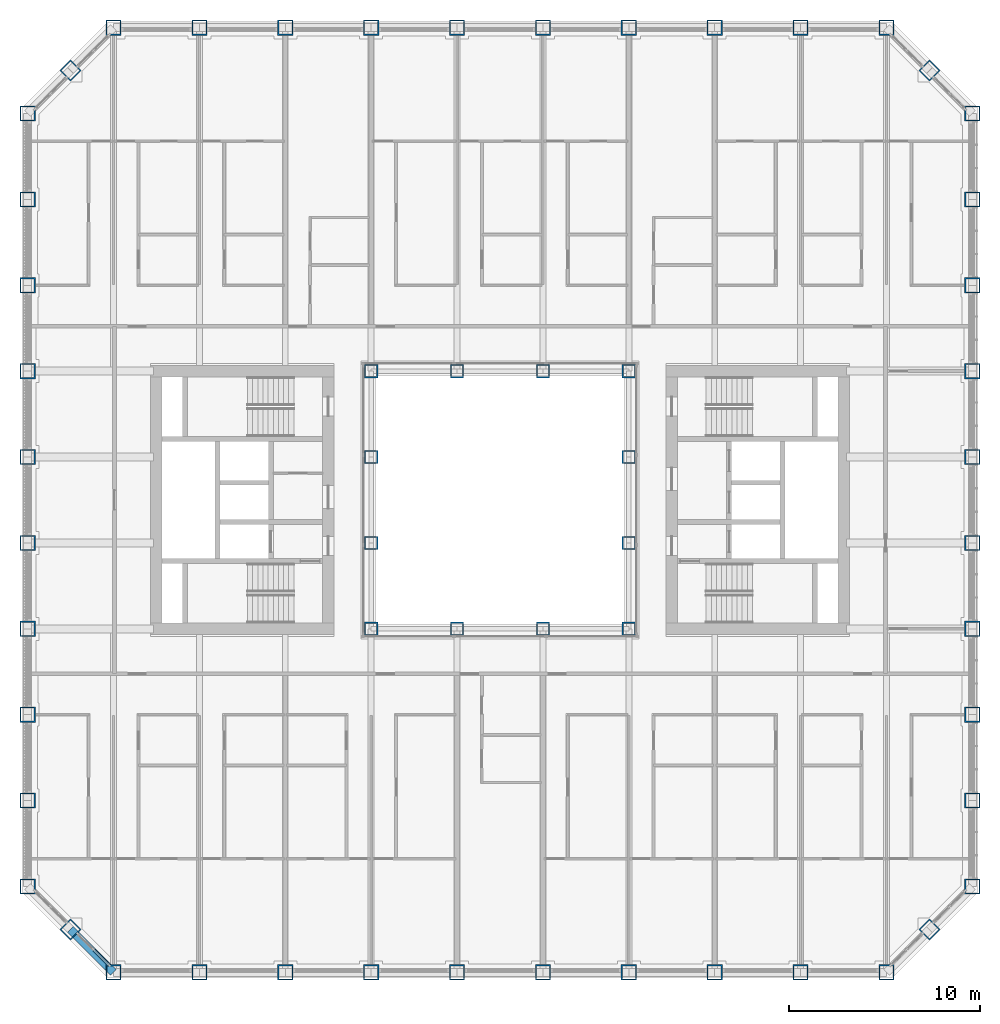
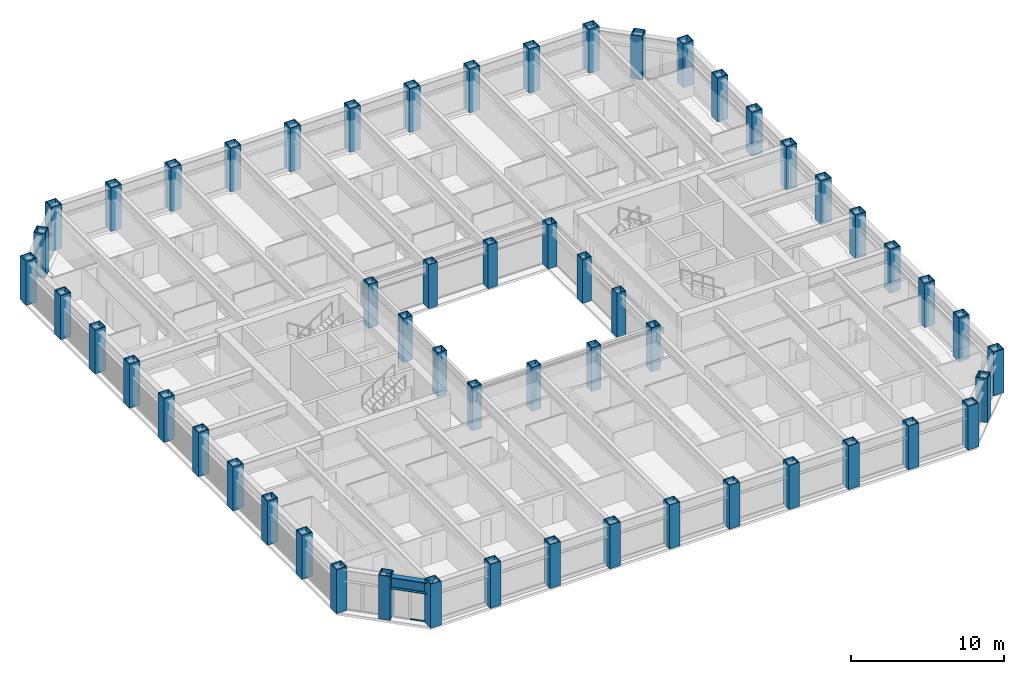
# One storey, part 1 of 20: 56 columns, 2 members, 1 beam, 1 element without a shape of its own.
"""IFC4 building model written with IfcOpenShell, lengths in metres."""

from ifc_helpers import new_model, si_unit, direction, frame, origin, origin_2d, place, context, subcontext, project, spatial, rectangle, hollow_rectangle, i_section, extrude, material, material_profile, profile_set, type_object, element, aggregate, save


model = new_model("IFC4")

# Units and contexts
model_context = context("Model", 3, precision=1e-05, world=origin(), true_north=direction((0.0, 1.0)))
body_context = subcontext(model_context, "Body", "Model", "MODEL_VIEW")
ifc_project = project(units=[si_unit("LENGTHUNIT", "METRE"), si_unit("AREAUNIT", "SQUARE_METRE"), si_unit("VOLUMEUNIT", "CUBIC_METRE"), si_unit("PLANEANGLEUNIT", "RADIAN"), si_unit("MASSUNIT", "GRAM", prefix="KILO")], contexts=[model_context])

# Site, building, storey
site_placement = place(None, origin())
site = spatial("IfcSite", under=ifc_project, at=site_placement, CompositionType="ELEMENT")
building_placement = place(site_placement, origin())
building = spatial("IfcBuilding", under=site, at=building_placement, Name="Msasa Ring Tower", CompositionType="ELEMENT")
storey_placement = place(building_placement, frame((0.0, 0.0, 58.0)))
storey = spatial("IfcBuildingStorey", under=building, at=storey_placement, Name="L14", CompositionType="ELEMENT", Elevation=58.0)

# Columns
ifc_material_1 = material(Name="Steel S355", Category="steel")
ifc_material_profile_1 = material_profile(ifc_material_1, hollow_rectangle(XDim=0.699951171875, YDim=0.699951171875, WallThickness=0.06005859375, at=origin_2d()), Name="BOX 700x700x60")
ifc_profile_set_1 = profile_set([ifc_material_profile_1], Name="Steel S355")
column_type_1 = type_object("IfcColumnType", Name="IC2 BOX 700x700x60", PredefinedType="COLUMN", material=ifc_profile_set_1)
for number, where, z_axis, x_axis, name in (
    (1, (-6.75, -6.75, 0.0), (0.0, 0.0, 1.0), (1.0, 0.0, 0.0), "Inner ring column IR-6.75-6.75 L14"),
    (2, (-6.75, -2.25, 0.0), (0.0, 0.0, 1.0), (1.0, 0.0, 0.0), "Inner ring column IR-6.75-2.25 L14"),
    (3, (-6.75, 2.25, 0.0), (0.0, 0.0, 1.0), (1.0, 0.0, 0.0), "Inner ring column IR-6.75+2.25 L14"),
    (4, (-6.75, 6.75, 0.0), (0.0, 0.0, 1.0), (1.0, 0.0, 0.0), "Inner ring column IR-6.75+6.75 L14"),
    (5, (-2.25, -6.75, 0.0), (0.0, 0.0, 1.0), (1.0, 0.0, 0.0), "Inner ring column IR-2.25-6.75 L14"),
    (6, (-2.25, 6.75, 0.0), (0.0, 0.0, 1.0), (1.0, 0.0, 0.0), "Inner ring column IR-2.25+6.75 L14"),
    (7, (2.25, -6.75, 0.0), (0.0, 0.0, 1.0), (1.0, 0.0, 0.0), "Inner ring column IR+2.25-6.75 L14"),
    (8, (2.25, 6.75, 0.0), (0.0, 0.0, 1.0), (1.0, 0.0, 0.0), "Inner ring column IR+2.25+6.75 L14"),
    (9, (6.75, -6.75, 0.0), (0.0, 0.0, 1.0), (1.0, 0.0, 0.0), "Inner ring column IR+6.75-6.75 L14"),
    (10, (6.75, -2.25, 0.0), (0.0, 0.0, 1.0), (1.0, 0.0, 0.0), "Inner ring column IR+6.75-2.25 L14"),
    (11, (6.75, 2.25, 0.0), (0.0, 0.0, 1.0), (1.0, 0.0, 0.0), "Inner ring column IR+6.75+2.25 L14"),
    (12, (6.75, 6.75, 0.0), (0.0, 0.0, 1.0), (1.0, 0.0, 0.0), "Inner ring column IR+6.75+6.75 L14"),
):
    element("IfcColumn", number, at=place(storey_placement, frame(where, z_axis=z_axis, x_axis=x_axis)), inside=storey, type_object=column_type_1, Name=name, PredefinedType="COLUMN", context=body_context, shape_type="SweptSolid", body=[
        extrude(hollow_rectangle(XDim=0.699951171875, YDim=0.699951171875, WallThickness=0.06005859375, at=origin_2d()), origin(), (0.0, 0.0, 1.0), 3.5),
    ])
ifc_material_2 = material(Name="Steel S355", Category="steel")
ifc_material_profile_2 = material_profile(ifc_material_2, hollow_rectangle(XDim=0.800048828125, YDim=0.800048828125, WallThickness=0.06005859375, at=origin_2d()), Name="BOX 800x800x60")
ifc_profile_set_2 = profile_set([ifc_material_profile_2], Name="Steel S355")
column_type_2 = type_object("IfcColumnType", Name="TC3 BOX 800x800x60", PredefinedType="COLUMN", material=ifc_profile_set_2)
for number, where, z_axis, x_axis, name in (
    (13, (-20.25, -24.75, 0.0), (0.0, 0.0, 1.0), (0.0, 1.0, 0.0), "Tube column S-20.25 L14"),
    (14, (-20.25, 24.75, 0.0), (0.0, 0.0, 1.0), (0.0, 1.0, 0.0), "Tube column N-20.25 L14"),
    (15, (24.75, -20.25, 0.0), (0.0, 0.0, 1.0), (1.0, 0.0, 0.0), "Tube column E-20.25 L14"),
    (16, (-24.75, -20.25, 0.0), (0.0, 0.0, 1.0), (1.0, 0.0, 0.0), "Tube column W-20.25 L14"),
    (17, (-15.75, -24.75, 0.0), (0.0, 0.0, 1.0), (0.0, 1.0, 0.0), "Tube column S-15.75 L14"),
    (18, (-15.75, 24.75, 0.0), (0.0, 0.0, 1.0), (0.0, 1.0, 0.0), "Tube column N-15.75 L14"),
    (19, (24.75, -15.75, 0.0), (0.0, 0.0, 1.0), (1.0, 0.0, 0.0), "Tube column E-15.75 L14"),
    (20, (-24.75, -15.75, 0.0), (0.0, 0.0, 1.0), (1.0, 0.0, 0.0), "Tube column W-15.75 L14"),
    (21, (-11.25, -24.75, 0.0), (0.0, 0.0, 1.0), (0.0, 1.0, 0.0), "Tube column S-11.25 L14"),
    (22, (-11.25, 24.75, 0.0), (0.0, 0.0, 1.0), (0.0, 1.0, 0.0), "Tube column N-11.25 L14"),
    (23, (24.75, -11.25, 0.0), (0.0, 0.0, 1.0), (1.0, 0.0, 0.0), "Tube column E-11.25 L14"),
    (24, (-24.75, -11.25, 0.0), (0.0, 0.0, 1.0), (1.0, 0.0, 0.0), "Tube column W-11.25 L14"),
    (25, (-6.75, -24.75, 0.0), (0.0, 0.0, 1.0), (0.0, 1.0, 0.0), "Tube column S-6.75 L14"),
    (26, (-6.75, 24.75, 0.0), (0.0, 0.0, 1.0), (0.0, 1.0, 0.0), "Tube column N-6.75 L14"),
    (27, (24.75, -6.75, 0.0), (0.0, 0.0, 1.0), (1.0, 0.0, 0.0), "Tube column E-6.75 L14"),
    (28, (-24.75, -6.75, 0.0), (0.0, 0.0, 1.0), (1.0, 0.0, 0.0), "Tube column W-6.75 L14"),
    (29, (-2.25, -24.75, 0.0), (0.0, 0.0, 1.0), (0.0, 1.0, 0.0), "Tube column S-2.25 L14"),
    (30, (-2.25, 24.75, 0.0), (0.0, 0.0, 1.0), (0.0, 1.0, 0.0), "Tube column N-2.25 L14"),
    (31, (24.75, -2.25, 0.0), (0.0, 0.0, 1.0), (1.0, 0.0, 0.0), "Tube column E-2.25 L14"),
    (32, (-24.75, -2.25, 0.0), (0.0, 0.0, 1.0), (1.0, 0.0, 0.0), "Tube column W-2.25 L14"),
    (33, (2.25, -24.75, 0.0), (0.0, 0.0, 1.0), (0.0, 1.0, 0.0), "Tube column S+2.25 L14"),
    (34, (2.25, 24.75, 0.0), (0.0, 0.0, 1.0), (0.0, 1.0, 0.0), "Tube column N+2.25 L14"),
    (35, (24.75, 2.25, 0.0), (0.0, 0.0, 1.0), (1.0, 0.0, 0.0), "Tube column E+2.25 L14"),
    (36, (-24.75, 2.25, 0.0), (0.0, 0.0, 1.0), (1.0, 0.0, 0.0), "Tube column W+2.25 L14"),
    (37, (6.75, -24.75, 0.0), (0.0, 0.0, 1.0), (0.0, 1.0, 0.0), "Tube column S+6.75 L14"),
    (38, (6.75, 24.75, 0.0), (0.0, 0.0, 1.0), (0.0, 1.0, 0.0), "Tube column N+6.75 L14"),
    (39, (24.75, 6.75, 0.0), (0.0, 0.0, 1.0), (1.0, 0.0, 0.0), "Tube column E+6.75 L14"),
    (40, (-24.75, 6.75, 0.0), (0.0, 0.0, 1.0), (1.0, 0.0, 0.0), "Tube column W+6.75 L14"),
    (41, (11.25, -24.75, 0.0), (0.0, 0.0, 1.0), (0.0, 1.0, 0.0), "Tube column S+11.25 L14"),
    (42, (11.25, 24.75, 0.0), (0.0, 0.0, 1.0), (0.0, 1.0, 0.0), "Tube column N+11.25 L14"),
    (43, (24.75, 11.25, 0.0), (0.0, 0.0, 1.0), (1.0, 0.0, 0.0), "Tube column E+11.25 L14"),
    (44, (-24.75, 11.25, 0.0), (0.0, 0.0, 1.0), (1.0, 0.0, 0.0), "Tube column W+11.25 L14"),
    (45, (15.75, -24.75, 0.0), (0.0, 0.0, 1.0), (0.0, 1.0, 0.0), "Tube column S+15.75 L14"),
    (46, (15.75, 24.75, 0.0), (0.0, 0.0, 1.0), (0.0, 1.0, 0.0), "Tube column N+15.75 L14"),
    (47, (24.75, 15.75, 0.0), (0.0, 0.0, 1.0), (1.0, 0.0, 0.0), "Tube column E+15.75 L14"),
    (48, (-24.75, 15.75, 0.0), (0.0, 0.0, 1.0), (1.0, 0.0, 0.0), "Tube column W+15.75 L14"),
    (49, (20.25, -24.75, 0.0), (0.0, 0.0, 1.0), (0.0, 1.0, 0.0), "Tube column S+20.25 L14"),
    (50, (20.25, 24.75, 0.0), (0.0, 0.0, 1.0), (0.0, 1.0, 0.0), "Tube column N+20.25 L14"),
    (51, (24.75, 20.25, 0.0), (0.0, 0.0, 1.0), (1.0, 0.0, 0.0), "Tube column E+20.25 L14"),
    (52, (-24.75, 20.25, 0.0), (0.0, 0.0, 1.0), (1.0, 0.0, 0.0), "Tube column W+20.25 L14"),
    (53, (22.5, -22.5, 0.0), (0.0, 0.0, 1.0), (0.707106781187, -0.707106781187, 0.0), "Tube column SE L14"),
    (54, (22.5, 22.5, 0.0), (0.0, 0.0, 1.0), (0.707106781187, 0.707106781187, 0.0), "Tube column NE L14"),
    (55, (-22.5, 22.5, 0.0), (0.0, 0.0, 1.0), (0.707106781187, -0.707106781187, 0.0), "Tube column NW L14"),
    (56, (-22.5, -22.5, 0.0), (0.0, 0.0, 1.0), (0.707106781187, 0.707106781187, 0.0), "Tube column SW L14"),
):
    element("IfcColumn", number, at=place(storey_placement, frame(where, z_axis=z_axis, x_axis=x_axis)), inside=storey, type_object=column_type_2, Name=name, PredefinedType="COLUMN", context=body_context, shape_type="SweptSolid", body=[
        extrude(hollow_rectangle(XDim=0.800048828125, YDim=0.800048828125, WallThickness=0.06005859375, at=origin_2d()), origin(), (0.0, 0.0, 1.0), 3.5),
    ])

# Curtain wall, members
ifc_material_3 = material(Name="Aluminium curtain wall with clear glass", Category="aluminium")
curtain_wall_type = type_object("IfcCurtainWallType", Name="CW-C CHAMFER CORNER CURTAIN WALL", PredefinedType="NOTDEFINED", material=ifc_material_3)
curtain_wall_placement = place(storey_placement, origin())
curtain_wall = element("IfcCurtainWall", 57, at=curtain_wall_placement, inside=storey, type_object=curtain_wall_type, Name="Chamfer corner curtain wall SW L14", PredefinedType="NOTDEFINED")
ifc_material_4 = material(Name="Aluminium transom", Category="aluminium")
ifc_material_profile_3 = material_profile(ifc_material_4, rectangle(XDim=0.139892578125, YDim=0.06494140625, at=origin_2d()), Name="AL 65x140")
ifc_profile_set_3 = profile_set([ifc_material_profile_3], Name="Aluminium transom")
member_type = type_object("IfcMemberType", Name="CW-C TRANSOM 65x140", PredefinedType="USERDEFINED", material=ifc_profile_set_3)
member_1_placement = place(storey_placement, frame((-21.28125, -23.577392578125, 0.032470703125), z_axis=(0.707106781187, -0.707106781187, 0.0), x_axis=(0.707106781187, 0.707106781187, 0.0)))
member_1 = element("IfcMember", 58, at=member_1_placement, type_object=member_type, Name="CW-C transom 2.1", ObjectType="TRANSOM", PredefinedType="USERDEFINED", context=body_context, shape_type="SweptSolid", body=[
    extrude(rectangle(XDim=0.139892578125, YDim=0.06494140625, at=origin_2d()), origin(), (0.0, 0.0, 1.0), 1.08837890625),
])
member_2_placement = place(storey_placement, frame((-21.28125, -23.577392578125, 2.346435546875), z_axis=(0.707106781187, -0.707106781187, 0.0), x_axis=(0.707106781187, 0.707106781187, 0.0)))
member_2 = element("IfcMember", 59, at=member_2_placement, type_object=member_type, Name="CW-C transom 2.2", ObjectType="TRANSOM", PredefinedType="USERDEFINED", context=body_context, shape_type="SweptSolid", body=[
    extrude(rectangle(XDim=0.139892578125, YDim=0.06494140625, at=origin_2d()), origin(), (0.0, 0.0, 1.0), 1.08837890625),
])
aggregate(curtain_wall, [member_1, member_2])

# Beam
ifc_material_5 = material(Name="Steel S355", Category="steel")
ifc_material_profile_4 = material_profile(ifc_material_5, i_section(OverallWidth=0.42041015625, OverallDepth=0.9208984375, WebThickness=0.021484375, FlangeThickness=0.03662109375, FilletRadius=0.024169921875, at=origin_2d()), Name="UB 914x419x388")
ifc_profile_set_4 = profile_set([ifc_material_profile_4], Name="Steel S355")
beam_type = type_object("IfcBeamType", Name="SB1 UB 914x419x388", PredefinedType="SPANDREL", material=ifc_profile_set_4)
beam_placement = place(storey_placement, frame((-22.5, -22.5, 2.839599609375), z_axis=(0.707106781187, -0.707106781187, 0.0), x_axis=(0.707106781187, 0.707106781187, 0.0)))
element("IfcBeam", 60, at=beam_placement, inside=storey, type_object=beam_type, Name="Spandrel SW to S-20.25 under L15", PredefinedType="SPANDREL", context=body_context, shape_type="SweptSolid", body=[
    extrude(i_section(OverallWidth=0.42041015625, OverallDepth=0.9208984375, WebThickness=0.021484375, FlangeThickness=0.03662109375, FilletRadius=0.024169921875, at=origin_2d()), origin(), (0.0, 0.0, 1.0), 3.181884765625),
])

save(model, "model.ifc")
